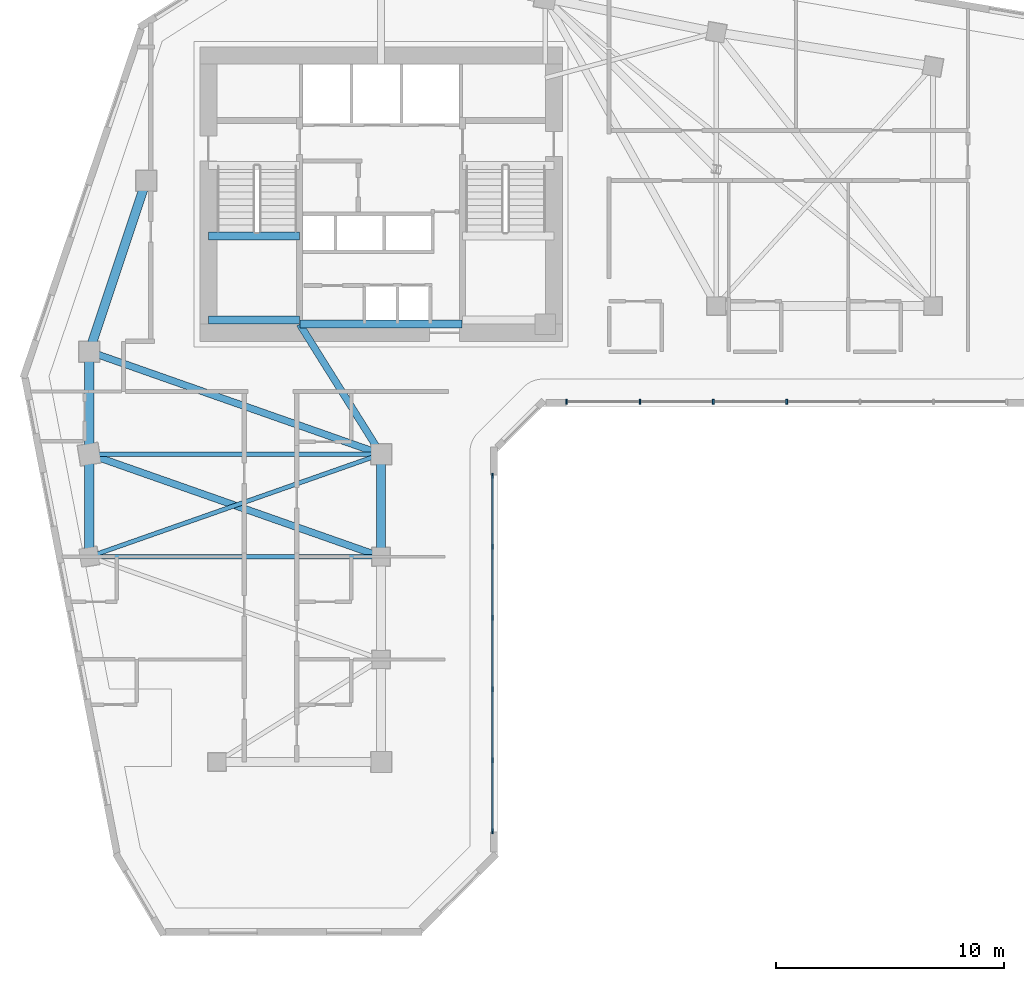
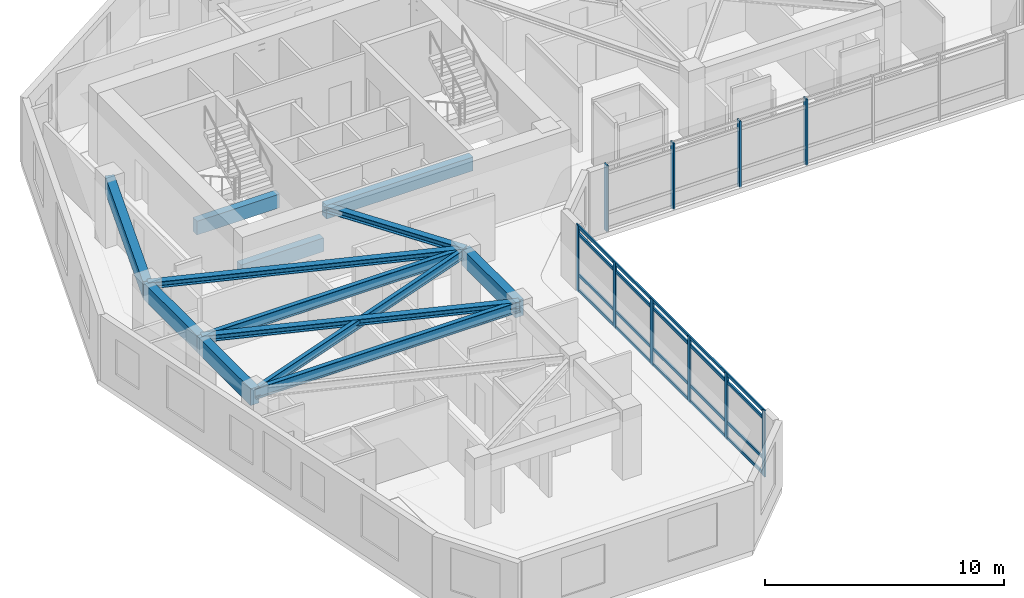
# One storey, part 2 of 14: 14 members, 13 beams, 2 elements without a shape of their own.
"""IFC4 building model written with IfcOpenShell, lengths in metres."""

from ifc_helpers import new_model, si_unit, direction, frame, origin, origin_2d, place, context, subcontext, project, spatial, rectangle, i_section, extrude, source, transform, mapped, material, material_profile, profile_set, type_object, element, aggregate, save


model = new_model("IFC4")

# Units and contexts
model_context = context("Model", 3, precision=1e-05, world=origin(), true_north=direction((0.0, 1.0)))
body_context = subcontext(model_context, "Body", "Model", "MODEL_VIEW")
ifc_project = project(units=[si_unit("LENGTHUNIT", "METRE"), si_unit("AREAUNIT", "SQUARE_METRE"), si_unit("VOLUMEUNIT", "CUBIC_METRE"), si_unit("PLANEANGLEUNIT", "RADIAN"), si_unit("MASSUNIT", "GRAM", prefix="KILO")], contexts=[model_context])

# Site, building, storey
site_placement = place(None, origin())
site = spatial("IfcSite", under=ifc_project, at=site_placement, CompositionType="ELEMENT")
building_placement = place(site_placement, origin())
building = spatial("IfcBuilding", under=site, at=building_placement, Name="Calvemar Wedge Station Tower", CompositionType="ELEMENT")
storey_placement = place(building_placement, frame((0.0, 0.0, 128.60009765625)))
storey = spatial("IfcBuildingStorey", under=building, at=storey_placement, Name="L31", CompositionType="ELEMENT", Elevation=128.60009765625)

# Beams
ifc_material_1 = material(Name="Concrete C60", Category="concrete")
ifc_material_profile_1 = material_profile(ifc_material_1, rectangle(XDim=0.39990234375, YDim=0.85009765625, at=origin_2d()), Name="RC400x850")
ifc_profile_set_1 = profile_set([ifc_material_profile_1], Name="Concrete C60")
beam_type_1 = type_object("IfcBeamType", Name="BM-SP1-850", PredefinedType="SPANDREL", material=ifc_profile_set_1)
shared_shape_1 = source(origin(), body_context, "Body", "SweptSolid", [
    extrude(rectangle(XDim=0.39990234375, YDim=0.85009765625, at=origin_2d()), origin(), (0.0, 0.0, 1.0), 7.90576171875),
])
beam_1_placement = place(storey_placement, frame((11.0, 33.0, 2.9248046875), z_axis=(0.316227766017, 0.948683298051, 0.0), x_axis=(-0.948683298051, 0.316227766017, 0.0)))
element("IfcBeam", 1, at=beam_1_placement, inside=storey, type_object=beam_type_1, Name="Storey L31 Spandrel T-NW1-T-NW2", PredefinedType="SPANDREL", context=body_context, shape_type="MappedRepresentation", body=[
    mapped(shared_shape_1, transform((0.0, 0.0, 0.0), scale=1.0)),
])
shared_shape_2 = source(origin(), body_context, "Body", "SweptSolid", [
    extrude(rectangle(XDim=0.39990234375, YDim=0.85009765625, at=origin_2d()), origin(), (0.0, 0.0, 1.0), 4.5),
])
for number, where, z_axis, x_axis, name in (
    (2, (11.0, 33.0, 2.9248046875), (0.0, -1.0, 0.0), (1.0, 0.0, 0.0), "Storey L31 Spandrel T-NW1-T-SW1"),
    (3, (11.0, 28.5, 2.9248046875), (0.0, -1.0, 0.0), (1.0, 0.0, 0.0), "Storey L31 Spandrel T-SW1-T-SW2"),
    (4, (23.800048828125, 28.5, 2.9248046875), (0.0, -1.0, 0.0), (1.0, 0.0, 0.0), "Storey L31 Spandrel T-SE1-T-SE2"),
):
    element("IfcBeam", number, at=place(storey_placement, frame(where, z_axis=z_axis, x_axis=x_axis)), inside=storey, type_object=beam_type_1, Name=name, PredefinedType="SPANDREL", context=body_context, shape_type="MappedRepresentation", body=[
        mapped(shared_shape_2, transform((0.0, 0.0, 0.0), scale=1.0)),
    ])
ifc_material_2 = material(Name="Concrete C70", Category="concrete")
ifc_material_profile_2 = material_profile(ifc_material_2, rectangle(XDim=0.35009765625, YDim=0.699951171875, at=origin_2d()), Name="RC350x700")
ifc_profile_set_2 = profile_set([ifc_material_profile_2], Name="Concrete C70")
beam_type_2 = type_object("IfcBeamType", Name="BM-LN1-700", PredefinedType="LINTEL", material=ifc_profile_set_2)
shared_shape_3 = source(origin(), body_context, "Body", "SweptSolid", [
    extrude(rectangle(XDim=0.35009765625, YDim=0.699951171875, at=origin_2d()), origin(), (0.0, 0.0, 1.0), 7.10009765625),
])
beam_2_placement = place(storey_placement, frame((20.25, 34.199951171875, 3.0), z_axis=(1.0, 0.0, 0.0), x_axis=(0.0, 1.0, 0.0)))
element("IfcBeam", 5, at=beam_2_placement, inside=storey, type_object=beam_type_2, Name="Storey L31 Core Coupling Lintel South", PredefinedType="LINTEL", context=body_context, shape_type="MappedRepresentation", body=[
    mapped(shared_shape_3, transform((0.0, 0.0, 0.0), scale=1.0)),
])
ifc_material_3 = material(Name="Structural steel ASTM A572 Grade 50", Category="steel")
ifc_material_profile_3 = material_profile(ifc_material_3, i_section(OverallWidth=0.30908203125, OverallDepth=0.322998046875, WebThickness=0.013916015625, FlangeThickness=0.02294921875, FilletRadius=0.014892578125, at=origin_2d()), Name="W310x143")
ifc_profile_set_3 = profile_set([ifc_material_profile_3], Name="Structural steel ASTM A572 Grade 50")
beam_type_3 = type_object("IfcBeamType", Name="BM-J5-W310H", PredefinedType="JOIST", material=ifc_profile_set_3)
shared_shape_4 = source(origin(), body_context, "Body", "SweptSolid", [
    extrude(i_section(OverallWidth=0.30908203125, OverallDepth=0.322998046875, WebThickness=0.013916015625, FlangeThickness=0.02294921875, FilletRadius=0.014892578125, at=origin_2d()), origin(), (0.0, 0.0, 1.0), 13.568115234375),
])
for number, where, z_axis, x_axis, name in (
    (6, (11.0, 33.0, 3.1884765625), (0.943398221169, -0.331662171939, 0.0), (0.331662171939, 0.943398221169, 0.0), "Storey L31 Floor Beam T-NW1-T-SE1"),
    (7, (11.0, 28.5, 3.1884765625), (0.943398221169, -0.331662171939, 0.0), (0.331662171939, 0.943398221169, 0.0), "Storey L31 Floor Beam T-SW1-T-SE2"),
):
    element("IfcBeam", number, at=place(storey_placement, frame(where, z_axis=z_axis, x_axis=x_axis)), inside=storey, type_object=beam_type_3, Name=name, PredefinedType="JOIST", context=body_context, shape_type="MappedRepresentation", body=[
        mapped(shared_shape_4, transform((0.0, 0.0, 0.0), scale=1.0)),
    ])
ifc_material_profile_4 = material_profile(ifc_material_3, i_section(OverallWidth=0.19189453125, OverallDepth=0.462890625, WebThickness=0.010498046875, FlangeThickness=0.017578125, FilletRadius=0.012939453125, at=origin_2d()), Name="W460x89")
ifc_profile_set_4 = profile_set([ifc_material_profile_4], Name="Structural steel ASTM A572 Grade 50")
beam_type_4 = type_object("IfcBeamType", Name="BM-J1-W460", PredefinedType="JOIST", material=ifc_profile_set_4)
shared_shape_5 = source(origin(), body_context, "Body", "SweptSolid", [
    extrude(i_section(OverallWidth=0.19189453125, OverallDepth=0.462890625, WebThickness=0.010498046875, FlangeThickness=0.017578125, FilletRadius=0.012939453125, at=origin_2d()), origin(), (0.0, 0.0, 1.0), 13.568115234375),
])
beam_3_placement = place(storey_placement, frame((23.800048828125, 28.5, 3.118408203125), z_axis=(-0.943398221169, -0.331662171939, 0.0), x_axis=(0.331662171939, -0.943398221169, 0.0)))
element("IfcBeam", 8, at=beam_3_placement, inside=storey, type_object=beam_type_4, Name="Storey L31 Floor Beam T-SE1-T-SW2", PredefinedType="JOIST", context=body_context, shape_type="MappedRepresentation", body=[
    mapped(shared_shape_5, transform((0.0, 0.0, 0.0), scale=1.0)),
])
shared_shape_6 = source(origin(), body_context, "Body", "SweptSolid", [
    extrude(i_section(OverallWidth=0.30908203125, OverallDepth=0.322998046875, WebThickness=0.013916015625, FlangeThickness=0.02294921875, FilletRadius=0.014892578125, at=origin_2d()), origin(), (0.0, 0.0, 1.0), 6.7255859375),
])
beam_4_placement = place(storey_placement, frame((20.22998046875, 34.199951171875, 3.1884765625), z_axis=(0.530811158438, -0.847490126242, 0.0), x_axis=(0.847490126242, 0.530811158438, 0.0)))
element("IfcBeam", 9, at=beam_4_placement, inside=storey, type_object=beam_type_3, Name="Storey L31 Core-to-Column Joist CJ-S2", PredefinedType="JOIST", context=body_context, shape_type="MappedRepresentation", body=[
    mapped(shared_shape_6, transform((0.0, 0.0, 0.0), scale=1.0)),
])
shared_shape_7 = source(origin(), body_context, "Body", "SweptSolid", [
    extrude(rectangle(XDim=0.35009765625, YDim=0.699951171875, at=origin_2d()), origin(), (0.0, 0.0, 1.0), 4.0048828125),
])
for number, where, z_axis, x_axis, name in (
    (10, (16.22509765625, 34.3798828125, 1.25), (1.0, 0.0, 0.0), (0.0, 1.0, 0.0), "Storey L31 Stair ST-C1 Half-Landing Beam 1A"),
    (11, (16.22509765625, 38.070068359375, 1.25), (1.0, 0.0, 0.0), (0.0, 1.0, 0.0), "Storey L31 Stair ST-C1 Half-Landing Beam 1B"),
):
    element("IfcBeam", number, at=place(storey_placement, frame(where, z_axis=z_axis, x_axis=x_axis)), inside=storey, type_object=beam_type_2, Name=name, PredefinedType="LINTEL", context=body_context, shape_type="MappedRepresentation", body=[
        mapped(shared_shape_7, transform((0.0, 0.0, 0.0), scale=1.0)),
    ])
ifc_material_profile_5 = material_profile(ifc_material_3, i_section(OverallWidth=0.2109375, OverallDepth=0.5390625, WebThickness=0.01171875, FlangeThickness=0.018798828125, FilletRadius=0.012939453125, at=origin_2d()), Name="W530x109")
ifc_profile_set_5 = profile_set([ifc_material_profile_5], Name="Structural steel ASTM A572 Grade 50")
beam_type_5 = type_object("IfcBeamType", Name="BM-SB4-W530", PredefinedType="BEAM", material=ifc_profile_set_5)
shared_shape_8 = source(origin(), body_context, "Body", "SweptSolid", [
    extrude(i_section(OverallWidth=0.2109375, OverallDepth=0.5390625, WebThickness=0.01171875, FlangeThickness=0.018798828125, FilletRadius=0.012939453125, at=origin_2d()), origin(), (0.0, 0.0, 1.0), 12.800048828125),
])
for number, where, z_axis, x_axis, name in (
    (12, (11.0, 28.5, 3.080322265625), (1.0, 0.0, 0.0), (0.0, 1.0, 0.0), "Storey L31 Floor Beam T-SW1-T-SE1"),
    (13, (11.0, 24.0, 3.080322265625), (1.0, 0.0, 0.0), (0.0, 1.0, 0.0), "Storey L31 Floor Beam T-SW2-T-SE2"),
):
    element("IfcBeam", number, at=place(storey_placement, frame(where, z_axis=z_axis, x_axis=x_axis)), inside=storey, type_object=beam_type_5, Name=name, PredefinedType="BEAM", context=body_context, shape_type="MappedRepresentation", body=[
        mapped(shared_shape_8, transform((0.0, 0.0, 0.0), scale=1.0)),
    ])

# Curtain wall, members
ifc_material_4 = material(Name="Anodised aluminium 6063-T6", Category="aluminium")
curtain_wall_type = type_object("IfcCurtainWallType", Name="CW2", PredefinedType="NOTDEFINED", material=ifc_material_4)
curtain_wall_1_placement = place(storey_placement, origin())
curtain_wall_1 = element("IfcCurtainWall", 14, at=curtain_wall_1_placement, inside=storey, type_object=curtain_wall_type, Name="Storey L31 CW2 Recessed Unitised Curtain Wall 4", PredefinedType="NOTDEFINED")
ifc_material_profile_6 = material_profile(ifc_material_4, rectangle(XDim=0.074951171875, YDim=0.219970703125, at=origin_2d()), Name="AL-MUL-75x220")
ifc_profile_set_6 = profile_set([ifc_material_profile_6], Name="Anodised aluminium 6063-T6")
member_type_1 = type_object("IfcMemberType", Name="CW2-MUL", PredefinedType="MULLION", material=ifc_profile_set_6)
shared_shape_9 = source(origin(), body_context, "Body", "SweptSolid", [
    extrude(rectangle(XDim=0.074951171875, YDim=0.219970703125, at=origin_2d()), origin(), (0.0, 0.0, 1.0), 3.39990234375),
])
member_1_placement = place(storey_placement, frame((28.68603515625, 11.962158203125, -0.050048828125), z_axis=(0.0, 0.0, 1.0), x_axis=(1.0, 0.0, 0.0)))
member_1 = element("IfcMember", 15, at=member_1_placement, type_object=member_type_1, Name="CW2 mullion 1", PredefinedType="MULLION", context=body_context, shape_type="MappedRepresentation", body=[
    mapped(shared_shape_9, transform((0.0, 0.0, 0.0), scale=1.0)),
])
member_2_placement = place(storey_placement, frame((28.68603515625, 15.08056640625, -0.050048828125), z_axis=(0.0, 0.0, 1.0), x_axis=(1.0, 0.0, 0.0)))
member_2 = element("IfcMember", 16, at=member_2_placement, type_object=member_type_1, Name="CW2 mullion 2", PredefinedType="MULLION", context=body_context, shape_type="MappedRepresentation", body=[
    mapped(shared_shape_9, transform((0.0, 0.0, 0.0), scale=1.0)),
])
member_3_placement = place(storey_placement, frame((28.68603515625, 18.198974609375, -0.050048828125), z_axis=(0.0, 0.0, 1.0), x_axis=(1.0, 0.0, 0.0)))
member_3 = element("IfcMember", 17, at=member_3_placement, type_object=member_type_1, Name="CW2 mullion 3", PredefinedType="MULLION", context=body_context, shape_type="MappedRepresentation", body=[
    mapped(shared_shape_9, transform((0.0, 0.0, 0.0), scale=1.0)),
])
member_4_placement = place(storey_placement, frame((28.68603515625, 21.3173828125, -0.050048828125), z_axis=(0.0, 0.0, 1.0), x_axis=(1.0, 0.0, 0.0)))
member_4 = element("IfcMember", 18, at=member_4_placement, type_object=member_type_1, Name="CW2 mullion 4", PredefinedType="MULLION", context=body_context, shape_type="MappedRepresentation", body=[
    mapped(shared_shape_9, transform((0.0, 0.0, 0.0), scale=1.0)),
])
member_5_placement = place(storey_placement, frame((28.68603515625, 24.435791015625, -0.050048828125), z_axis=(0.0, 0.0, 1.0), x_axis=(1.0, 0.0, 0.0)))
member_5 = element("IfcMember", 19, at=member_5_placement, type_object=member_type_1, Name="CW2 mullion 5", PredefinedType="MULLION", context=body_context, shape_type="MappedRepresentation", body=[
    mapped(shared_shape_9, transform((0.0, 0.0, 0.0), scale=1.0)),
])
member_6_placement = place(storey_placement, frame((28.68603515625, 27.55419921875, -0.050048828125), z_axis=(0.0, 0.0, 1.0), x_axis=(1.0, 0.0, 0.0)))
member_6 = element("IfcMember", 20, at=member_6_placement, type_object=member_type_1, Name="CW2 mullion 6", PredefinedType="MULLION", context=body_context, shape_type="MappedRepresentation", body=[
    mapped(shared_shape_9, transform((0.0, 0.0, 0.0), scale=1.0)),
])

curtain_wall_2_placement = place(storey_placement, origin())
curtain_wall_2 = element("IfcCurtainWall", 21, at=curtain_wall_2_placement, inside=storey, type_object=curtain_wall_type, Name="Storey L31 CW2 Recessed Unitised Curtain Wall 6", PredefinedType="NOTDEFINED")
member_7_placement = place(storey_placement, frame((31.933837890625, 30.802001953125, -0.050048828125), z_axis=(0.0, 0.0, 1.0), x_axis=(1.0, 0.0, 0.0)))
member_7 = element("IfcMember", 22, at=member_7_placement, type_object=member_type_1, Name="CW2 mullion 1", PredefinedType="MULLION", context=body_context, shape_type="MappedRepresentation", body=[
    mapped(shared_shape_9, transform((0.0, 0.0, 0.0), scale=1.0)),
])
member_8_placement = place(storey_placement, frame((35.151123046875, 30.802001953125, -0.050048828125), z_axis=(0.0, 0.0, 1.0), x_axis=(1.0, 0.0, 0.0)))
member_8 = element("IfcMember", 23, at=member_8_placement, type_object=member_type_1, Name="CW2 mullion 2", PredefinedType="MULLION", context=body_context, shape_type="MappedRepresentation", body=[
    mapped(shared_shape_9, transform((0.0, 0.0, 0.0), scale=1.0)),
])
member_9_placement = place(storey_placement, frame((38.36865234375, 30.802001953125, -0.050048828125), z_axis=(0.0, 0.0, 1.0), x_axis=(1.0, 0.0, 0.0)))
member_9 = element("IfcMember", 24, at=member_9_placement, type_object=member_type_1, Name="CW2 mullion 3", PredefinedType="MULLION", context=body_context, shape_type="MappedRepresentation", body=[
    mapped(shared_shape_9, transform((0.0, 0.0, 0.0), scale=1.0)),
])
member_10_placement = place(storey_placement, frame((41.5859375, 30.802001953125, -0.050048828125), z_axis=(0.0, 0.0, 1.0), x_axis=(1.0, 0.0, 0.0)))
member_10 = element("IfcMember", 25, at=member_10_placement, type_object=member_type_1, Name="CW2 mullion 4", PredefinedType="MULLION", context=body_context, shape_type="MappedRepresentation", body=[
    mapped(shared_shape_9, transform((0.0, 0.0, 0.0), scale=1.0)),
])
aggregate(curtain_wall_2, [member_7, member_8, member_9, member_10])

# Member
ifc_material_profile_7 = material_profile(ifc_material_4, rectangle(XDim=0.074951171875, YDim=0.14990234375, at=origin_2d()), Name="AL-TRN-75x150")
ifc_profile_set_7 = profile_set([ifc_material_profile_7], Name="Anodised aluminium 6063-T6")
member_type_2 = type_object("IfcMemberType", Name="CW2-TRN", PredefinedType="USERDEFINED", material=ifc_profile_set_7)
shared_shape_10 = source(origin(), body_context, "Body", "SweptSolid", [
    extrude(rectangle(XDim=0.074951171875, YDim=0.14990234375, at=origin_2d()), origin(), (0.0, 0.0, 1.0), 15.592041015625),
])
member_11_placement = place(storey_placement, frame((28.68603515625, 11.962158203125, 0.059814453125), z_axis=(0.0, 1.0, 0.0), x_axis=(-1.0, 0.0, 0.0)))
member_11 = element("IfcMember", 26, at=member_11_placement, type_object=member_type_2, Name="CW2 transom 1", ObjectType="TRANSOM", PredefinedType="USERDEFINED", context=body_context, shape_type="MappedRepresentation", body=[
    mapped(shared_shape_10, transform((0.0, 0.0, 0.0), scale=1.0)),
])

member_12_placement = place(storey_placement, frame((28.68603515625, 11.962158203125, 0.849853515625), z_axis=(0.0, 1.0, 0.0), x_axis=(-1.0, 0.0, 0.0)))
member_12 = element("IfcMember", 27, at=member_12_placement, type_object=member_type_2, Name="CW2 transom 2", ObjectType="TRANSOM", PredefinedType="USERDEFINED", context=body_context, shape_type="MappedRepresentation", body=[
    mapped(shared_shape_10, transform((0.0, 0.0, 0.0), scale=1.0)),
])

member_13_placement = place(storey_placement, frame((28.68603515625, 11.962158203125, 2.89990234375), z_axis=(0.0, 1.0, 0.0), x_axis=(-1.0, 0.0, 0.0)))
member_13 = element("IfcMember", 28, at=member_13_placement, type_object=member_type_2, Name="CW2 transom 3", ObjectType="TRANSOM", PredefinedType="USERDEFINED", context=body_context, shape_type="MappedRepresentation", body=[
    mapped(shared_shape_10, transform((0.0, 0.0, 0.0), scale=1.0)),
])

member_14_placement = place(storey_placement, frame((28.68603515625, 11.962158203125, 3.289794921875), z_axis=(0.0, 1.0, 0.0), x_axis=(-1.0, 0.0, 0.0)))
member_14 = element("IfcMember", 29, at=member_14_placement, type_object=member_type_2, Name="CW2 transom 4", ObjectType="TRANSOM", PredefinedType="USERDEFINED", context=body_context, shape_type="MappedRepresentation", body=[
    mapped(shared_shape_10, transform((0.0, 0.0, 0.0), scale=1.0)),
])

aggregate(curtain_wall_1, [member_1, member_2, member_3, member_4, member_5, member_6, member_11, member_12, member_13, member_14])

save(model, "model.ifc")
